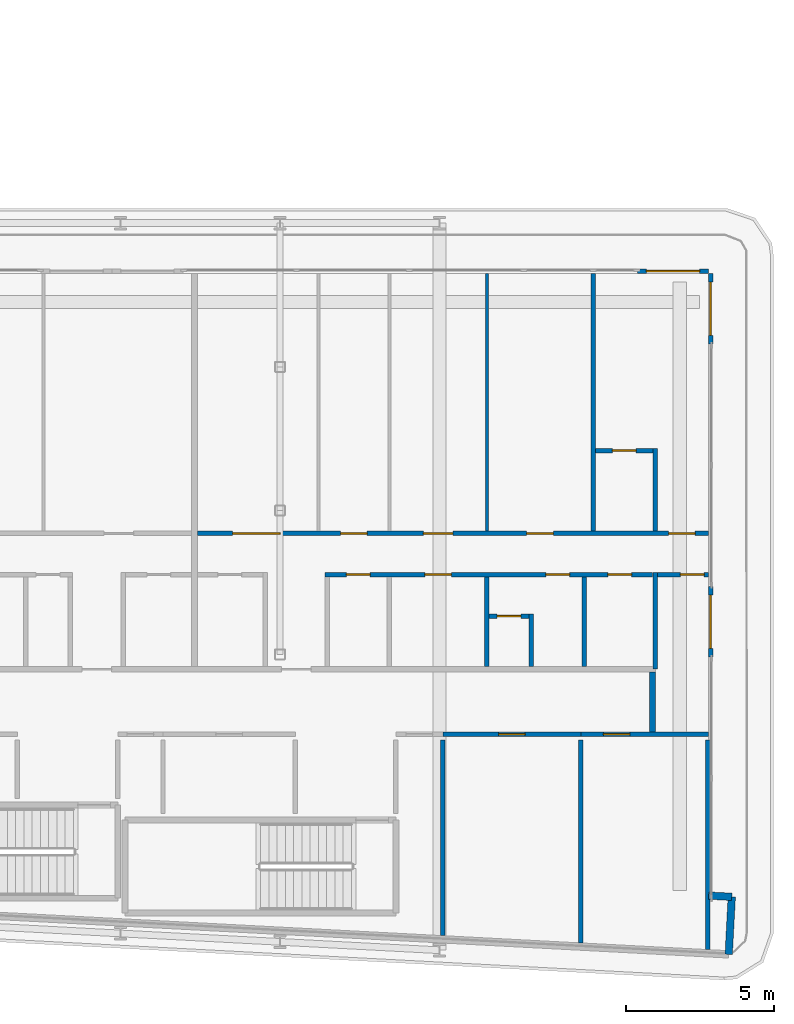
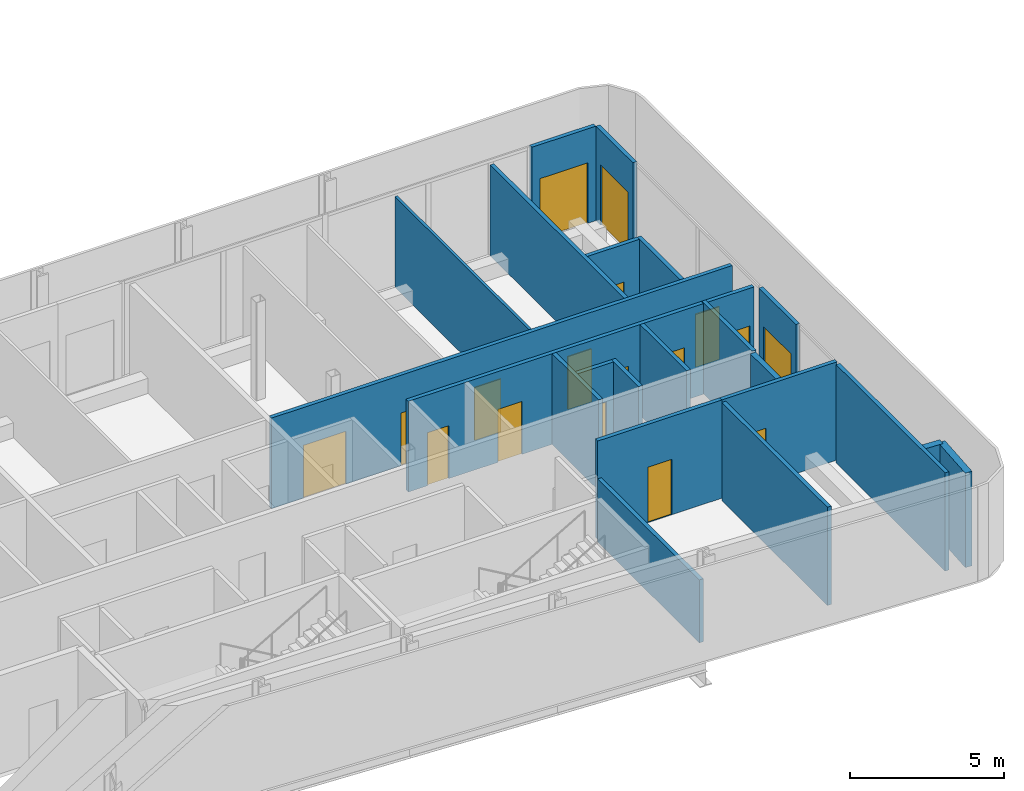
# One storey, part 19 of 28: 23 walls, 17 doors, 17 openings.
"""IFC4 building model written with IfcOpenShell, lengths in metres."""

from ifc_helpers import new_model, si_unit, direction, frame, frame_2d, origin, place, context, subcontext, project, spatial, rectangle, extrude, source, transform, mapped, material, layer, layer_set, type_object, element, fill, save


model = new_model("IFC4")

# Units and contexts
model_context = context("Model", 3, precision=1e-05, world=origin(), true_north=direction((0.0, 1.0)))
body_context = subcontext(model_context, "Body", "Model", "MODEL_VIEW")
ifc_project = project(units=[si_unit("LENGTHUNIT", "METRE"), si_unit("AREAUNIT", "SQUARE_METRE"), si_unit("VOLUMEUNIT", "CUBIC_METRE"), si_unit("PLANEANGLEUNIT", "RADIAN"), si_unit("MASSUNIT", "GRAM", prefix="KILO")], contexts=[model_context])

# Site, building, storey
site_placement = place(None, origin())
site = spatial("IfcSite", under=ifc_project, at=site_placement, CompositionType="ELEMENT")
building_placement = place(site_placement, origin())
building = spatial("IfcBuilding", under=site, at=building_placement, Name="Kheshtan School and Residences Tower", CompositionType="ELEMENT")
storey_placement = place(building_placement, frame((0.0, 0.0, 137.0)))
storey = spatial("IfcBuildingStorey", under=building, at=storey_placement, Name="L32", CompositionType="ELEMENT", Elevation=137.0)

# Walls
ifc_material_1 = material(Name="Gypsum board on steel studs with fire boards", Category="steel")
ifc_layer_1 = layer(ifc_material_1, 0.199951171875)
ifc_layer_set_1 = layer_set([ifc_layer_1], Name="Corridor wall 200")
wall_type_1 = type_object("IfcWallType", Name="Corridor wall 200", PredefinedType="PARTITIONING", material=ifc_layer_set_1)
wall_1_placement = place(storey_placement, frame((98.0, 28.3740234375, 0.0), z_axis=(0.0, 0.0, 1.0), x_axis=(0.0, 1.0, 0.0)))
element("IfcWall", 1, at=wall_1_placement, inside=storey, type_object=wall_type_1, Name="Partition L32-087", PredefinedType="PARTITIONING", context=body_context, shape_type="SweptSolid", body=[
    extrude(rectangle(XDim=2.02587890625, YDim=0.199951171875, at=frame_2d((1.012939453125, 0.0))), origin(), (0.0, 0.0, 1.0), 3.60009765625),
])
ifc_material_2 = material(Name="Concrete C40/50 with ceramic cladding and mineral wool insulation", Category="concrete")
ifc_layer_2 = layer(ifc_material_2, 0.25)
ifc_layer_set_2 = layer_set([ifc_layer_2], Name="External wall 250 ceramic clad")
wall_type_2 = type_object("IfcWallType", Name="External wall 250 ceramic clad", PredefinedType="SOLIDWALL", material=ifc_layer_set_2)
wall_2_placement = place(storey_placement, frame((99.906982421875, 22.839111328125, 0.0), z_axis=(0.0, 0.0, 1.0), x_axis=(0.998561284263, -0.053622398031, 0.0)))
element("IfcWall", 2, at=wall_2_placement, inside=storey, type_object=wall_type_2, Name="External wall L32 14", PredefinedType="SOLIDWALL", context=body_context, shape_type="SweptSolid", body=[
    extrude(rectangle(XDim=0.783203125, YDim=0.25, at=frame_2d((0.3916015625, 0.0))), origin(), (0.0, 0.0, 1.0), 3.75),
])
wall_3_placement = place(storey_placement, frame((100.68896484375, 22.797119140625, 0.0), z_axis=(0.0, 0.0, 1.0), x_axis=(-0.052841433274, -0.998602915542, 0.0)))
element("IfcWall", 3, at=wall_3_placement, inside=storey, type_object=wall_type_2, Name="External wall L32 15", PredefinedType="SOLIDWALL", context=body_context, shape_type="SweptSolid", body=[
    extrude(rectangle(XDim=1.94970703125, YDim=0.25, at=frame_2d((0.974853515625, 0.0))), origin(), (0.0, 0.0, 1.0), 3.75),
])

# Wall, opening, door
ifc_material_3 = material(Name="Aluminium frame wall with insulated infill", Category="aluminium")
ifc_layer_3 = layer(ifc_material_3, 0.14990234375)
ifc_layer_set_3 = layer_set([ifc_layer_3], Name="Glazing frame wall 150")
wall_type_3 = type_object("IfcWallType", Name="Glazing frame wall 150", PredefinedType="SOLIDWALL", material=ifc_layer_set_3)
wall_4_placement = place(storey_placement, frame((97.5, 43.97509765625, 0.0), z_axis=(0.0, 0.0, 1.0), x_axis=(1.0, 0.0, 0.0)))
wall_4 = element("IfcWall", 4, at=wall_4_placement, inside=storey, type_object=wall_type_3, Name="Balcony door wall L32 12.5", PredefinedType="SOLIDWALL", context=body_context, shape_type="SweptSolid", body=[
    extrude(rectangle(XDim=2.39990234375, YDim=0.14990234375, at=frame_2d((1.199951171875, 0.0))), origin(), (0.0, 0.0, 1.0), 3.75),
])
opening_1_placement = place(wall_4_placement, frame((0.300048828125, 0.0, 0.0)))
opening_1 = element("IfcOpeningElement", 5, at=opening_1_placement, cuts=wall_4, Name="Opening BD", PredefinedType="OPENING", context=body_context, shape_type="SweptSolid", body=[
    extrude(rectangle(XDim=1.800048828125, YDim=2.39990234375, at=frame_2d((0.89990234375, 1.199951171875))), frame((0.0, 0.0849609375, 0.0), z_axis=(0.0, -1.0, 0.0), x_axis=(1.0, 0.0, 0.0)), (0.0, 0.0, 1.0), 0.169921875),
])
ifc_material_4 = material(Name="Clear low-e glass in thermally broken aluminium frame", Category="aluminium")
door_type_1 = type_object("IfcDoorType", Name="Balcony sliding door", OperationType="SLIDING_TO_LEFT", PredefinedType="DOOR", material=ifc_material_4)
shared_shape_1 = source(origin(), body_context, "Body", "SweptSolid", [
    extrude(rectangle(XDim=1.800048828125, YDim=2.39990234375, at=frame_2d((0.89990234375, 1.199951171875))), frame((0.0, 0.02490234375, 0.0), z_axis=(0.0, -1.0, 0.0), x_axis=(1.0, 0.0, 0.0)), (0.0, 0.0, 1.0), 0.050048828125),
])
door_1_placement = place(opening_1_placement, origin())
door_1 = element("IfcDoor", 6, at=door_1_placement, inside=storey, type_object=door_type_1, Name="Balcony door L32 12.5", OperationType="SLIDING_TO_LEFT", OverallHeight=2.39990234375, OverallWidth=1.800048828125, PredefinedType="DOOR", context=body_context, shape_type="MappedRepresentation", body=[
    mapped(shared_shape_1, transform((0.0, 0.0, 0.0), x_axis=(1.0, 0.0, 0.0), y_axis=(0.0, 1.0, 0.0), z_axis=(0.0, 0.0, 1.0), scale=1.0)),
])
fill(opening_1, door_1)

wall_5_placement = place(storey_placement, frame((99.97509765625, 43.89990234375, 0.0), z_axis=(0.0, 0.0, 1.0), x_axis=(0.0, -1.0, 0.0)))
wall_5 = element("IfcWall", 7, at=wall_5_placement, inside=storey, type_object=wall_type_3, Name="Balcony door wall L32 13.1", PredefinedType="SOLIDWALL", context=body_context, shape_type="SweptSolid", body=[
    extrude(rectangle(XDim=2.39990234375, YDim=0.14990234375, at=frame_2d((1.199951171875, 0.0))), origin(), (0.0, 0.0, 1.0), 3.75),
])
opening_2_placement = place(wall_5_placement, frame((0.300048828125, 0.0, 0.0)))
opening_2 = element("IfcOpeningElement", 8, at=opening_2_placement, cuts=wall_5, Name="Opening BD", PredefinedType="OPENING", context=body_context, shape_type="SweptSolid", body=[
    extrude(rectangle(XDim=1.800048828125, YDim=2.39990234375, at=frame_2d((0.89990234375, 1.199951171875))), frame((0.0, 0.0849609375, 0.0), z_axis=(0.0, -1.0, 0.0), x_axis=(1.0, 0.0, 0.0)), (0.0, 0.0, 1.0), 0.169921875),
])
door_2_placement = place(opening_2_placement, origin())
door_2 = element("IfcDoor", 9, at=door_2_placement, inside=storey, type_object=door_type_1, Name="Balcony door L32 13.1", OperationType="SLIDING_TO_LEFT", OverallHeight=2.39990234375, OverallWidth=1.800048828125, PredefinedType="DOOR", context=body_context, shape_type="MappedRepresentation", body=[
    mapped(shared_shape_1, transform((0.0, 0.0, 0.0), x_axis=(1.0, 0.0, 0.0), y_axis=(0.0, 1.0, 0.0), z_axis=(0.0, 0.0, 1.0), scale=1.0)),
])
fill(opening_2, door_2)

wall_6_placement = place(storey_placement, frame((99.97509765625, 33.306884765625, 0.0), z_axis=(0.0, 0.0, 1.0), x_axis=(0.0, -1.0, 0.0)))
wall_6 = element("IfcWall", 10, at=wall_6_placement, inside=storey, type_object=wall_type_3, Name="Balcony door wall L32 13.2", PredefinedType="SOLIDWALL", context=body_context, shape_type="SweptSolid", body=[
    extrude(rectangle(XDim=2.39990234375, YDim=0.14990234375, at=frame_2d((1.199951171875, 0.0))), origin(), (0.0, 0.0, 1.0), 3.75),
])
opening_3_placement = place(wall_6_placement, frame((0.300048828125, 0.0, 0.0)))
opening_3 = element("IfcOpeningElement", 11, at=opening_3_placement, cuts=wall_6, Name="Opening BD", PredefinedType="OPENING", context=body_context, shape_type="SweptSolid", body=[
    extrude(rectangle(XDim=1.800048828125, YDim=2.39990234375, at=frame_2d((0.89990234375, 1.199951171875))), frame((0.0, 0.0849609375, 0.0), z_axis=(0.0, -1.0, 0.0), x_axis=(1.0, 0.0, 0.0)), (0.0, 0.0, 1.0), 0.169921875),
])
door_3_placement = place(opening_3_placement, origin())
door_3 = element("IfcDoor", 12, at=door_3_placement, inside=storey, type_object=door_type_1, Name="Balcony door L32 13.2", OperationType="SLIDING_TO_LEFT", OverallHeight=2.39990234375, OverallWidth=1.800048828125, PredefinedType="DOOR", context=body_context, shape_type="MappedRepresentation", body=[
    mapped(shared_shape_1, transform((0.0, 0.0, 0.0), x_axis=(1.0, 0.0, 0.0), y_axis=(0.0, 1.0, 0.0), z_axis=(0.0, 0.0, 1.0), scale=1.0)),
])
fill(opening_3, door_3)

# Walls
ifc_material_5 = material(Name="Gypsum board on steel studs", Category="steel")
ifc_layer_4 = layer(ifc_material_5, 0.10009765625)
ifc_layer_set_4 = layer_set([ifc_layer_4], Name="Gypsum partition 100")
wall_type_4 = type_object("IfcWallType", Name="Gypsum partition 100", PredefinedType="PARTITIONING", material=ifc_layer_set_4)
wall_7_placement = place(storey_placement, frame((92.39990234375, 35.175048828125, 0.0), z_axis=(0.0, 0.0, 1.0), x_axis=(0.0, 1.0, 0.0)))
element("IfcWall", 13, at=wall_7_placement, inside=storey, type_object=wall_type_4, Name="Partition L32-081", PredefinedType="PARTITIONING", context=body_context, shape_type="SweptSolid", body=[
    extrude(rectangle(XDim=8.724853515625, YDim=0.10009765625, at=frame_2d((4.3623046875, 0.0))), origin(), (0.0, 0.0, 1.0), 3.60009765625),
])
ifc_material_6 = material(Name="Fire-board shaft wall system")
ifc_layer_5 = layer(ifc_material_6, 0.14990234375)
ifc_layer_set_5 = layer_set([ifc_layer_5], Name="Service room wall 150")
wall_type_5 = type_object("IfcWallType", Name="Service room wall 150", PredefinedType="PARTITIONING", material=ifc_layer_set_5)
wall_8_placement = place(storey_placement, frame((90.9150390625, 21.487060546875, 0.0), z_axis=(0.0, 0.0, 1.0), x_axis=(0.0, 1.0, 0.0)))
element("IfcWall", 14, at=wall_8_placement, inside=storey, type_object=wall_type_5, Name="Service room wall", PredefinedType="PARTITIONING", context=body_context, shape_type="SweptSolid", body=[
    extrude(rectangle(XDim=6.617919921875, YDim=0.14990234375, at=frame_2d((3.30908203125, 0.0))), origin(), (0.0, 0.0, 1.0), 2.5),
])

# Wall, opening, door
wall_9_placement = place(storey_placement, frame((90.9150390625, 28.300048828125, 0.0), z_axis=(0.0, 0.0, 1.0), x_axis=(1.0, 0.0, 0.0)))
wall_9 = element("IfcWall", 15, at=wall_9_placement, inside=storey, type_object=wall_type_5, Name="Service room wall", PredefinedType="PARTITIONING", context=body_context, shape_type="SweptSolid", body=[
    extrude(rectangle(XDim=4.666015625, YDim=0.14990234375, at=frame_2d((2.3330078125, 0.0))), origin(), (0.0, 0.0, 1.0), 3.89990234375),
])
opening_4_placement = place(wall_9_placement, frame((1.883056640625, 0.0, 0.0)))
opening_4 = element("IfcOpeningElement", 16, at=opening_4_placement, cuts=wall_9, Name="Opening SR90", PredefinedType="OPENING", context=body_context, shape_type="SweptSolid", body=[
    extrude(rectangle(XDim=0.89990234375, YDim=2.199951171875, at=frame_2d((0.449951171875, 1.10009765625))), frame((0.0, 0.0849609375, 0.0), z_axis=(0.0, -1.0, 0.0), x_axis=(1.0, 0.0, 0.0)), (0.0, 0.0, 1.0), 0.169921875),
])
ifc_material_7 = material(Name="Steel door leaf, galvanised", Category="steel")
door_type_2 = type_object("IfcDoorType", Name="Service room door 900 steel 90 min", OperationType="SINGLE_SWING_LEFT", PredefinedType="DOOR", material=ifc_material_7)
shared_shape_2 = source(origin(), body_context, "Body", "SweptSolid", [
    extrude(rectangle(XDim=0.89990234375, YDim=2.199951171875, at=frame_2d((0.449951171875, 1.10009765625))), frame((0.0, 0.02490234375, 0.0), z_axis=(0.0, -1.0, 0.0), x_axis=(1.0, 0.0, 0.0)), (0.0, 0.0, 1.0), 0.050048828125),
])
door_4_placement = place(opening_4_placement, origin())
door_4 = element("IfcDoor", 17, at=door_4_placement, inside=storey, type_object=door_type_2, Name="Service room door", OperationType="SINGLE_SWING_RIGHT", OverallHeight=2.199951171875, OverallWidth=0.89990234375, PredefinedType="DOOR", context=body_context, shape_type="MappedRepresentation", body=[
    mapped(shared_shape_2, transform((0.0, 0.0, 0.0), x_axis=(1.0, 0.0, 0.0), y_axis=(0.0, 1.0, 0.0), z_axis=(0.0, 0.0, 1.0), scale=1.0)),
])
fill(opening_4, door_4)

# Wall
wall_10_placement = place(storey_placement, frame((95.5810546875, 21.240966796875, 0.0), z_axis=(0.0, 0.0, 1.0), x_axis=(0.0, 1.0, 0.0)))
element("IfcWall", 18, at=wall_10_placement, inside=storey, type_object=wall_type_5, Name="Service room wall", PredefinedType="PARTITIONING", context=body_context, shape_type="SweptSolid", body=[
    extrude(rectangle(XDim=6.864013671875, YDim=0.14990234375, at=frame_2d((3.43212890625, 0.0))), origin(), (0.0, 0.0, 1.0), 3.89990234375),
])

# Wall, opening, door
wall_11_placement = place(storey_placement, frame((95.5810546875, 28.300048828125, 0.0), z_axis=(0.0, 0.0, 1.0), x_axis=(1.0, 0.0, 0.0)))
wall_11 = element("IfcWall", 19, at=wall_11_placement, inside=storey, type_object=wall_type_5, Name="Service room wall", PredefinedType="PARTITIONING", context=body_context, shape_type="SweptSolid", body=[
    extrude(rectangle(XDim=4.31689453125, YDim=0.14990234375, at=frame_2d((2.158447265625, 0.0))), origin(), (0.0, 0.0, 1.0), 3.89990234375),
])
opening_5_placement = place(wall_11_placement, frame((0.759033203125, 0.0, 0.0)))
opening_5 = element("IfcOpeningElement", 20, at=opening_5_placement, cuts=wall_11, Name="Opening SR90", PredefinedType="OPENING", context=body_context, shape_type="SweptSolid", body=[
    extrude(rectangle(XDim=0.89990234375, YDim=2.199951171875, at=frame_2d((0.449951171875, 1.10009765625))), frame((0.0, 0.0849609375, 0.0), z_axis=(0.0, -1.0, 0.0), x_axis=(1.0, 0.0, 0.0)), (0.0, 0.0, 1.0), 0.169921875),
])
door_5_placement = place(opening_5_placement, origin())
door_5 = element("IfcDoor", 21, at=door_5_placement, inside=storey, type_object=door_type_2, Name="Service room door", OperationType="SINGLE_SWING_LEFT", OverallHeight=2.199951171875, OverallWidth=0.89990234375, PredefinedType="DOOR", context=body_context, shape_type="MappedRepresentation", body=[
    mapped(shared_shape_2, transform((0.0, 0.0, 0.0), x_axis=(1.0, 0.0, 0.0), y_axis=(0.0, 1.0, 0.0), z_axis=(0.0, 0.0, 1.0), scale=1.0)),
])
fill(opening_5, door_5)

# Wall
wall_12_placement = place(storey_placement, frame((99.8701171875, 21.014892578125, 0.0), z_axis=(0.0, 0.0, 1.0), x_axis=(0.0, 1.0, 0.0)))
element("IfcWall", 22, at=wall_12_placement, inside=storey, type_object=wall_type_5, Name="Service room wall", PredefinedType="PARTITIONING", context=body_context, shape_type="SweptSolid", body=[
    extrude(rectangle(XDim=7.090087890625, YDim=0.14990234375, at=frame_2d((3.544921875, 0.0))), origin(), (0.0, 0.0, 1.0), 3.89990234375),
])

# Wall, openings, doors
ifc_material_8 = material(Name="Moisture-resistant gypsum board on steel studs", Category="steel")
ifc_layer_6 = layer(ifc_material_8, 0.14990234375)
ifc_layer_set_6 = layer_set([ifc_layer_6], Name="Wet-room partition 150")
wall_type_6 = type_object("IfcWallType", Name="Wet-room partition 150", PredefinedType="PARTITIONING", material=ifc_layer_set_6)
wall_13_placement = place(storey_placement, frame((82.60009765625, 35.10009765625, 0.0), z_axis=(0.0, 0.0, 1.0), x_axis=(1.0, 0.0, 0.0)))
wall_13 = element("IfcWall", 23, at=wall_13_placement, inside=storey, type_object=wall_type_6, Name="Partition L32-073", PredefinedType="PARTITIONING", context=body_context, shape_type="SweptSolid", body=[
    extrude(rectangle(XDim=17.2998046875, YDim=0.14990234375, at=frame_2d((8.64990234375, 0.0))), origin(), (0.0, 0.0, 1.0), 3.60009765625),
])
opening_6_placement = place(wall_13_placement, frame((4.85009765625, 0.0, 0.0)))
opening_6 = element("IfcOpeningElement", 24, at=opening_6_placement, cuts=wall_13, Name="Opening D32-023", PredefinedType="OPENING", context=body_context, shape_type="SweptSolid", body=[
    extrude(rectangle(XDim=0.89990234375, YDim=2.10009765625, at=frame_2d((0.449951171875, 1.050048828125))), frame((0.0, 0.0849609375, 0.0), z_axis=(0.0, -1.0, 0.0), x_axis=(1.0, 0.0, 0.0)), (0.0, 0.0, 1.0), 0.169921875),
])
opening_7_placement = place(wall_13_placement, frame((11.14990234375, 0.0, 0.0)))
opening_7 = element("IfcOpeningElement", 25, at=opening_7_placement, cuts=wall_13, Name="Opening D32-024", PredefinedType="OPENING", context=body_context, shape_type="SweptSolid", body=[
    extrude(rectangle(XDim=0.89990234375, YDim=2.10009765625, at=frame_2d((0.449951171875, 1.050048828125))), frame((0.0, 0.0849609375, 0.0), z_axis=(0.0, -1.0, 0.0), x_axis=(1.0, 0.0, 0.0)), (0.0, 0.0, 1.0), 0.169921875),
])
opening_8_placement = place(wall_13_placement, frame((7.64990234375, 0.0, 0.0)))
opening_8 = element("IfcOpeningElement", 26, at=opening_8_placement, cuts=wall_13, Name="Opening D32-029", PredefinedType="OPENING", context=body_context, shape_type="SweptSolid", body=[
    extrude(rectangle(XDim=1.0, YDim=2.10009765625, at=frame_2d((0.5, 1.050048828125))), frame((0.0, 0.0849609375, 0.0), z_axis=(0.0, -1.0, 0.0), x_axis=(1.0, 0.0, 0.0)), (0.0, 0.0, 1.0), 0.169921875),
])
opening_9_placement = place(wall_13_placement, frame((1.199951171875, 0.0, 0.0)))
opening_9 = element("IfcOpeningElement", 27, at=opening_9_placement, cuts=wall_13, Name="Opening D32-032", PredefinedType="OPENING", context=body_context, shape_type="SweptSolid", body=[
    extrude(rectangle(XDim=1.60009765625, YDim=2.10009765625, at=frame_2d((0.800048828125, 1.050048828125))), frame((0.0, 0.0849609375, 0.0), z_axis=(0.0, -1.0, 0.0), x_axis=(1.0, 0.0, 0.0)), (0.0, 0.0, 1.0), 0.169921875),
])
opening_10_placement = place(wall_13_placement, frame((15.949951171875, 0.0, 0.0)))
opening_10 = element("IfcOpeningElement", 28, at=opening_10_placement, cuts=wall_13, Name="Opening D32-033", PredefinedType="OPENING", context=body_context, shape_type="SweptSolid", body=[
    extrude(rectangle(XDim=0.89990234375, YDim=2.10009765625, at=frame_2d((0.449951171875, 1.050048828125))), frame((0.0, 0.0849609375, 0.0), z_axis=(0.0, -1.0, 0.0), x_axis=(1.0, 0.0, 0.0)), (0.0, 0.0, 1.0), 0.169921875),
])
ifc_material_9 = material(Name="Veneered timber door leaf", Category="wood")
door_type_3 = type_object("IfcDoorType", Name="Door 1000 x 2100", OperationType="SINGLE_SWING_LEFT", PredefinedType="DOOR", material=ifc_material_9)
shared_shape_3 = source(origin(), body_context, "Body", "SweptSolid", [
    extrude(rectangle(XDim=1.0, YDim=2.10009765625, at=frame_2d((0.5, 1.050048828125))), frame((0.0, 0.02490234375, 0.0), z_axis=(0.0, -1.0, 0.0), x_axis=(1.0, 0.0, 0.0)), (0.0, 0.0, 1.0), 0.050048828125),
])
door_6_placement = place(opening_8_placement, origin())
door_6 = element("IfcDoor", 29, at=door_6_placement, inside=storey, type_object=door_type_3, Name="Door D32-029", OperationType="SINGLE_SWING_RIGHT", OverallHeight=2.10009765625, OverallWidth=1.0, PredefinedType="DOOR", context=body_context, shape_type="MappedRepresentation", body=[
    mapped(shared_shape_3, transform((0.0, 0.0, 0.0), x_axis=(1.0, 0.0, 0.0), y_axis=(0.0, 1.0, 0.0), z_axis=(0.0, 0.0, 1.0), scale=1.0)),
])
fill(opening_8, door_6)
door_type_4 = type_object("IfcDoorType", Name="Door 900 x 2100", OperationType="SINGLE_SWING_LEFT", PredefinedType="DOOR", material=ifc_material_9)
shared_shape_4 = source(origin(), body_context, "Body", "SweptSolid", [
    extrude(rectangle(XDim=0.89990234375, YDim=2.10009765625, at=frame_2d((0.449951171875, 1.050048828125))), frame((0.0, 0.02490234375, 0.0), z_axis=(0.0, -1.0, 0.0), x_axis=(1.0, 0.0, 0.0)), (0.0, 0.0, 1.0), 0.050048828125),
])
door_7_placement = place(opening_6_placement, origin())
door_7 = element("IfcDoor", 30, at=door_7_placement, inside=storey, type_object=door_type_4, Name="Door D32-023", OperationType="SINGLE_SWING_RIGHT", OverallHeight=2.10009765625, OverallWidth=0.89990234375, PredefinedType="DOOR", context=body_context, shape_type="MappedRepresentation", body=[
    mapped(shared_shape_4, transform((0.0, 0.0, 0.0), x_axis=(1.0, 0.0, 0.0), y_axis=(0.0, 1.0, 0.0), z_axis=(0.0, 0.0, 1.0), scale=1.0)),
])
fill(opening_6, door_7)
door_8_placement = place(opening_7_placement, origin())
door_8 = element("IfcDoor", 31, at=door_8_placement, inside=storey, type_object=door_type_4, Name="Door D32-024", OperationType="SINGLE_SWING_LEFT", OverallHeight=2.10009765625, OverallWidth=0.89990234375, PredefinedType="DOOR", context=body_context, shape_type="MappedRepresentation", body=[
    mapped(shared_shape_4, transform((0.0, 0.0, 0.0), x_axis=(1.0, 0.0, 0.0), y_axis=(0.0, 1.0, 0.0), z_axis=(0.0, 0.0, 1.0), scale=1.0)),
])
fill(opening_7, door_8)
door_9_placement = place(opening_10_placement, origin())
door_9 = element("IfcDoor", 32, at=door_9_placement, inside=storey, type_object=door_type_4, Name="Door D32-033", OperationType="SINGLE_SWING_LEFT", OverallHeight=2.10009765625, OverallWidth=0.89990234375, PredefinedType="DOOR", context=body_context, shape_type="MappedRepresentation", body=[
    mapped(shared_shape_4, transform((0.0, 0.0, 0.0), x_axis=(1.0, 0.0, 0.0), y_axis=(0.0, 1.0, 0.0), z_axis=(0.0, 0.0, 1.0), scale=1.0)),
])
fill(opening_10, door_9)
door_type_5 = type_object("IfcDoorType", Name="Double door 1600 x 2100", OperationType="DOUBLE_DOOR_SINGLE_SWING", PredefinedType="DOOR", material=ifc_material_9)
shared_shape_5 = source(origin(), body_context, "Body", "SweptSolid", [
    extrude(rectangle(XDim=1.60009765625, YDim=2.10009765625, at=frame_2d((0.800048828125, 1.050048828125))), frame((0.0, 0.02490234375, 0.0), z_axis=(0.0, -1.0, 0.0), x_axis=(1.0, 0.0, 0.0)), (0.0, 0.0, 1.0), 0.050048828125),
])
door_10_placement = place(opening_9_placement, origin())
door_10 = element("IfcDoor", 33, at=door_10_placement, inside=storey, type_object=door_type_5, Name="Door D32-032", OperationType="DOUBLE_DOOR_SINGLE_SWING", OverallHeight=2.10009765625, OverallWidth=1.60009765625, PredefinedType="DOOR", context=body_context, shape_type="MappedRepresentation", body=[
    mapped(shared_shape_5, transform((0.0, 0.0, 0.0), x_axis=(1.0, 0.0, 0.0), y_axis=(0.0, 1.0, 0.0), z_axis=(0.0, 0.0, 1.0), scale=1.0)),
])
fill(opening_9, door_10)

wall_14_placement = place(storey_placement, frame((86.925048828125, 33.699951171875, 0.0), z_axis=(0.0, 0.0, 1.0), x_axis=(1.0, 0.0, 0.0)))
wall_14 = element("IfcWall", 34, at=wall_14_placement, inside=storey, type_object=wall_type_6, Name="Partition L32-076", PredefinedType="PARTITIONING", context=body_context, shape_type="SweptSolid", body=[
    extrude(rectangle(XDim=11.074951171875, YDim=0.14990234375, at=frame_2d((5.53759765625, 0.0))), origin(), (0.0, 0.0, 1.0), 3.60009765625),
])
opening_11_placement = place(wall_14_placement, frame((9.574951171875, 0.0, 0.0)))
opening_11 = element("IfcOpeningElement", 35, at=opening_11_placement, cuts=wall_14, Name="Opening D32-022", PredefinedType="OPENING", context=body_context, shape_type="SweptSolid", body=[
    extrude(rectangle(XDim=0.800048828125, YDim=2.10009765625, at=frame_2d((0.39990234375, 1.050048828125))), frame((0.0, 0.0849609375, 0.0), z_axis=(0.0, -1.0, 0.0), x_axis=(1.0, 0.0, 0.0)), (0.0, 0.0, 1.0), 0.169921875),
])
opening_12_placement = place(wall_14_placement, frame((3.375, 0.0, 0.0)))
opening_12 = element("IfcOpeningElement", 36, at=opening_12_placement, cuts=wall_14, Name="Opening D32-027", PredefinedType="OPENING", context=body_context, shape_type="SweptSolid", body=[
    extrude(rectangle(XDim=0.89990234375, YDim=2.10009765625, at=frame_2d((0.449951171875, 1.050048828125))), frame((0.0, 0.0849609375, 0.0), z_axis=(0.0, -1.0, 0.0), x_axis=(1.0, 0.0, 0.0)), (0.0, 0.0, 1.0), 0.169921875),
])
opening_13_placement = place(wall_14_placement, frame((0.72509765625, 0.0, 0.0)))
opening_13 = element("IfcOpeningElement", 37, at=opening_13_placement, cuts=wall_14, Name="Opening D32-028", PredefinedType="OPENING", context=body_context, shape_type="SweptSolid", body=[
    extrude(rectangle(XDim=0.800048828125, YDim=2.10009765625, at=frame_2d((0.39990234375, 1.050048828125))), frame((0.0, 0.0849609375, 0.0), z_axis=(0.0, -1.0, 0.0), x_axis=(1.0, 0.0, 0.0)), (0.0, 0.0, 1.0), 0.169921875),
])
opening_14_placement = place(wall_14_placement, frame((7.47509765625, 0.0, 0.0)))
opening_14 = element("IfcOpeningElement", 38, at=opening_14_placement, cuts=wall_14, Name="Opening D32-030", PredefinedType="OPENING", context=body_context, shape_type="SweptSolid", body=[
    extrude(rectangle(XDim=0.800048828125, YDim=2.10009765625, at=frame_2d((0.39990234375, 1.050048828125))), frame((0.0, 0.0849609375, 0.0), z_axis=(0.0, -1.0, 0.0), x_axis=(1.0, 0.0, 0.0)), (0.0, 0.0, 1.0), 0.169921875),
])
door_type_6 = type_object("IfcDoorType", Name="Door 800 x 2100", OperationType="SINGLE_SWING_LEFT", PredefinedType="DOOR", material=ifc_material_9)
shared_shape_6 = source(origin(), body_context, "Body", "SweptSolid", [
    extrude(rectangle(XDim=0.800048828125, YDim=2.10009765625, at=frame_2d((0.39990234375, 1.050048828125))), frame((0.0, 0.02490234375, 0.0), z_axis=(0.0, -1.0, 0.0), x_axis=(1.0, 0.0, 0.0)), (0.0, 0.0, 1.0), 0.050048828125),
])
door_11_placement = place(opening_11_placement, origin())
door_11 = element("IfcDoor", 39, at=door_11_placement, inside=storey, type_object=door_type_6, Name="Door D32-022", OperationType="SINGLE_SWING_LEFT", OverallHeight=2.10009765625, OverallWidth=0.800048828125, PredefinedType="DOOR", context=body_context, shape_type="MappedRepresentation", body=[
    mapped(shared_shape_6, transform((0.0, 0.0, 0.0), x_axis=(1.0, 0.0, 0.0), y_axis=(0.0, 1.0, 0.0), z_axis=(0.0, 0.0, 1.0), scale=1.0)),
])
fill(opening_11, door_11)
door_12_placement = place(opening_13_placement, origin())
door_12 = element("IfcDoor", 40, at=door_12_placement, inside=storey, type_object=door_type_6, Name="Door D32-028", OperationType="SINGLE_SWING_RIGHT", OverallHeight=2.10009765625, OverallWidth=0.800048828125, PredefinedType="DOOR", context=body_context, shape_type="MappedRepresentation", body=[
    mapped(shared_shape_6, transform((0.0, 0.0, 0.0), x_axis=(1.0, 0.0, 0.0), y_axis=(0.0, 1.0, 0.0), z_axis=(0.0, 0.0, 1.0), scale=1.0)),
])
fill(opening_13, door_12)
door_13_placement = place(opening_14_placement, origin())
door_13 = element("IfcDoor", 41, at=door_13_placement, inside=storey, type_object=door_type_6, Name="Door D32-030", OperationType="SINGLE_SWING_LEFT", OverallHeight=2.10009765625, OverallWidth=0.800048828125, PredefinedType="DOOR", context=body_context, shape_type="MappedRepresentation", body=[
    mapped(shared_shape_6, transform((0.0, 0.0, 0.0), x_axis=(1.0, 0.0, 0.0), y_axis=(0.0, 1.0, 0.0), z_axis=(0.0, 0.0, 1.0), scale=1.0)),
])
fill(opening_14, door_13)
door_14_placement = place(opening_12_placement, origin())
door_14 = element("IfcDoor", 42, at=door_14_placement, inside=storey, type_object=door_type_4, Name="Door D32-027", OperationType="SINGLE_SWING_LEFT", OverallHeight=2.10009765625, OverallWidth=0.89990234375, PredefinedType="DOOR", context=body_context, shape_type="MappedRepresentation", body=[
    mapped(shared_shape_4, transform((0.0, 0.0, 0.0), x_axis=(1.0, 0.0, 0.0), y_axis=(0.0, 1.0, 0.0), z_axis=(0.0, 0.0, 1.0), scale=1.0)),
])
fill(opening_12, door_14)

# Wall
wall_15_placement = place(storey_placement, frame((92.39990234375, 30.60009765625, 0.0), z_axis=(0.0, 0.0, 1.0), x_axis=(0.0, 1.0, 0.0)))
element("IfcWall", 43, at=wall_15_placement, inside=storey, type_object=wall_type_6, Name="Partition L32-080", PredefinedType="PARTITIONING", context=body_context, shape_type="SweptSolid", body=[
    extrude(rectangle(XDim=3.02490234375, YDim=0.14990234375, at=frame_2d((1.512451171875, 0.0))), origin(), (0.0, 0.0, 1.0), 3.60009765625),
])

# Wall, opening, door
wall_16_placement = place(storey_placement, frame((92.47509765625, 32.300048828125, 0.0), z_axis=(0.0, 0.0, 1.0), x_axis=(1.0, 0.0, 0.0)))
wall_16 = element("IfcWall", 44, at=wall_16_placement, inside=storey, type_object=wall_type_6, Name="Partition L32-082", PredefinedType="PARTITIONING", context=body_context, shape_type="SweptSolid", body=[
    extrude(rectangle(XDim=1.349853515625, YDim=0.14990234375, at=frame_2d((0.6748046875, 0.0))), origin(), (0.0, 0.0, 1.0), 3.60009765625),
])
opening_15_placement = place(wall_16_placement, frame((0.27490234375, 0.0, 0.0)))
opening_15 = element("IfcOpeningElement", 45, at=opening_15_placement, cuts=wall_16, Name="Opening D32-031", PredefinedType="OPENING", context=body_context, shape_type="SweptSolid", body=[
    extrude(rectangle(XDim=0.800048828125, YDim=2.10009765625, at=frame_2d((0.39990234375, 1.050048828125))), frame((0.0, 0.0849609375, 0.0), z_axis=(0.0, -1.0, 0.0), x_axis=(1.0, 0.0, 0.0)), (0.0, 0.0, 1.0), 0.169921875),
])
door_15_placement = place(opening_15_placement, origin())
door_15 = element("IfcDoor", 46, at=door_15_placement, inside=storey, type_object=door_type_6, Name="Door D32-031", OperationType="SINGLE_SWING_RIGHT", OverallHeight=2.10009765625, OverallWidth=0.800048828125, PredefinedType="DOOR", context=body_context, shape_type="MappedRepresentation", body=[
    mapped(shared_shape_6, transform((0.0, 0.0, 0.0), x_axis=(1.0, 0.0, 0.0), y_axis=(0.0, 1.0, 0.0), z_axis=(0.0, 0.0, 1.0), scale=1.0)),
])
fill(opening_15, door_15)

# Walls
wall_17_placement = place(storey_placement, frame((93.89990234375, 30.60009765625, 0.0), z_axis=(0.0, 0.0, 1.0), x_axis=(0.0, 1.0, 0.0)))
element("IfcWall", 47, at=wall_17_placement, inside=storey, type_object=wall_type_6, Name="Partition L32-083", PredefinedType="PARTITIONING", context=body_context, shape_type="SweptSolid", body=[
    extrude(rectangle(XDim=1.77490234375, YDim=0.14990234375, at=frame_2d((0.887451171875, 0.0))), origin(), (0.0, 0.0, 1.0), 3.60009765625),
])
wall_18_placement = place(storey_placement, frame((95.699951171875, 30.60009765625, 0.0), z_axis=(0.0, 0.0, 1.0), x_axis=(0.0, 1.0, 0.0)))
element("IfcWall", 48, at=wall_18_placement, inside=storey, type_object=wall_type_6, Name="Partition L32-084", PredefinedType="PARTITIONING", context=body_context, shape_type="SweptSolid", body=[
    extrude(rectangle(XDim=3.02490234375, YDim=0.14990234375, at=frame_2d((1.512451171875, 0.0))), origin(), (0.0, 0.0, 1.0), 3.60009765625),
])
wall_19_placement = place(storey_placement, frame((96.0, 35.175048828125, 0.0), z_axis=(0.0, 0.0, 1.0), x_axis=(0.0, 1.0, 0.0)))
element("IfcWall", 49, at=wall_19_placement, inside=storey, type_object=wall_type_6, Name="Partition L32-085", PredefinedType="PARTITIONING", context=body_context, shape_type="SweptSolid", body=[
    extrude(rectangle(XDim=8.724853515625, YDim=0.14990234375, at=frame_2d((4.3623046875, 0.0))), origin(), (0.0, 0.0, 1.0), 3.60009765625),
])

# Wall, opening, door
wall_20_placement = place(storey_placement, frame((96.074951171875, 37.89990234375, 0.0), z_axis=(0.0, 0.0, 1.0), x_axis=(1.0, 0.0, 0.0)))
wall_20 = element("IfcWall", 50, at=wall_20_placement, inside=storey, type_object=wall_type_6, Name="Partition L32-086", PredefinedType="PARTITIONING", context=body_context, shape_type="SweptSolid", body=[
    extrude(rectangle(XDim=1.949951171875, YDim=0.14990234375, at=frame_2d((0.97509765625, 0.0))), origin(), (0.0, 0.0, 1.0), 3.60009765625),
])
opening_16_placement = place(wall_20_placement, frame((0.574951171875, 0.0, 0.0)))
opening_16 = element("IfcOpeningElement", 51, at=opening_16_placement, cuts=wall_20, Name="Opening D32-025", PredefinedType="OPENING", context=body_context, shape_type="SweptSolid", body=[
    extrude(rectangle(XDim=0.800048828125, YDim=2.10009765625, at=frame_2d((0.39990234375, 1.050048828125))), frame((0.0, 0.0849609375, 0.0), z_axis=(0.0, -1.0, 0.0), x_axis=(1.0, 0.0, 0.0)), (0.0, 0.0, 1.0), 0.169921875),
])
door_16_placement = place(opening_16_placement, origin())
door_16 = element("IfcDoor", 52, at=door_16_placement, inside=storey, type_object=door_type_6, Name="Door D32-025", OperationType="SINGLE_SWING_LEFT", OverallHeight=2.10009765625, OverallWidth=0.800048828125, PredefinedType="DOOR", context=body_context, shape_type="MappedRepresentation", body=[
    mapped(shared_shape_6, transform((0.0, 0.0, 0.0), x_axis=(1.0, 0.0, 0.0), y_axis=(0.0, 1.0, 0.0), z_axis=(0.0, 0.0, 1.0), scale=1.0)),
])
fill(opening_16, door_16)

# Walls
wall_21_placement = place(storey_placement, frame((98.10009765625, 30.5, 0.0), z_axis=(0.0, 0.0, 1.0), x_axis=(0.0, 1.0, 0.0)))
element("IfcWall", 53, at=wall_21_placement, inside=storey, type_object=wall_type_6, Name="Partition L32-088", PredefinedType="PARTITIONING", context=body_context, shape_type="SweptSolid", body=[
    extrude(rectangle(XDim=3.27490234375, YDim=0.14990234375, at=frame_2d((1.637451171875, 0.0))), origin(), (0.0, 0.0, 1.0), 3.60009765625),
])
wall_22_placement = place(storey_placement, frame((98.10009765625, 35.175048828125, 0.0), z_axis=(0.0, 0.0, 1.0), x_axis=(0.0, 1.0, 0.0)))
element("IfcWall", 54, at=wall_22_placement, inside=storey, type_object=wall_type_6, Name="Partition L32-089", PredefinedType="PARTITIONING", context=body_context, shape_type="SweptSolid", body=[
    extrude(rectangle(XDim=2.800048828125, YDim=0.14990234375, at=frame_2d((1.39990234375, 0.0))), origin(), (0.0, 0.0, 1.0), 3.60009765625),
])

# Wall, opening, door
wall_23_placement = place(storey_placement, frame((98.175048828125, 33.699951171875, 0.0), z_axis=(0.0, 0.0, 1.0), x_axis=(1.0, 0.0, 0.0)))
wall_23 = element("IfcWall", 55, at=wall_23_placement, inside=storey, type_object=wall_type_6, Name="Partition L32-090", PredefinedType="PARTITIONING", context=body_context, shape_type="SweptSolid", body=[
    extrude(rectangle(XDim=1.724853515625, YDim=0.14990234375, at=frame_2d((0.8623046875, 0.0))), origin(), (0.0, 0.0, 1.0), 3.60009765625),
])
opening_17_placement = place(wall_23_placement, frame((0.77490234375, 0.0, 0.0)))
opening_17 = element("IfcOpeningElement", 56, at=opening_17_placement, cuts=wall_23, Name="Opening D32-034", PredefinedType="OPENING", context=body_context, shape_type="SweptSolid", body=[
    extrude(rectangle(XDim=0.800048828125, YDim=2.10009765625, at=frame_2d((0.39990234375, 1.050048828125))), frame((0.0, 0.0849609375, 0.0), z_axis=(0.0, -1.0, 0.0), x_axis=(1.0, 0.0, 0.0)), (0.0, 0.0, 1.0), 0.169921875),
])
door_17_placement = place(opening_17_placement, origin())
door_17 = element("IfcDoor", 57, at=door_17_placement, inside=storey, type_object=door_type_6, Name="Door D32-034", OperationType="SINGLE_SWING_RIGHT", OverallHeight=2.10009765625, OverallWidth=0.800048828125, PredefinedType="DOOR", context=body_context, shape_type="MappedRepresentation", body=[
    mapped(shared_shape_6, transform((0.0, 0.0, 0.0), x_axis=(1.0, 0.0, 0.0), y_axis=(0.0, 1.0, 0.0), z_axis=(0.0, 0.0, 1.0), scale=1.0)),
])
fill(opening_17, door_17)

save(model, "model.ifc")
